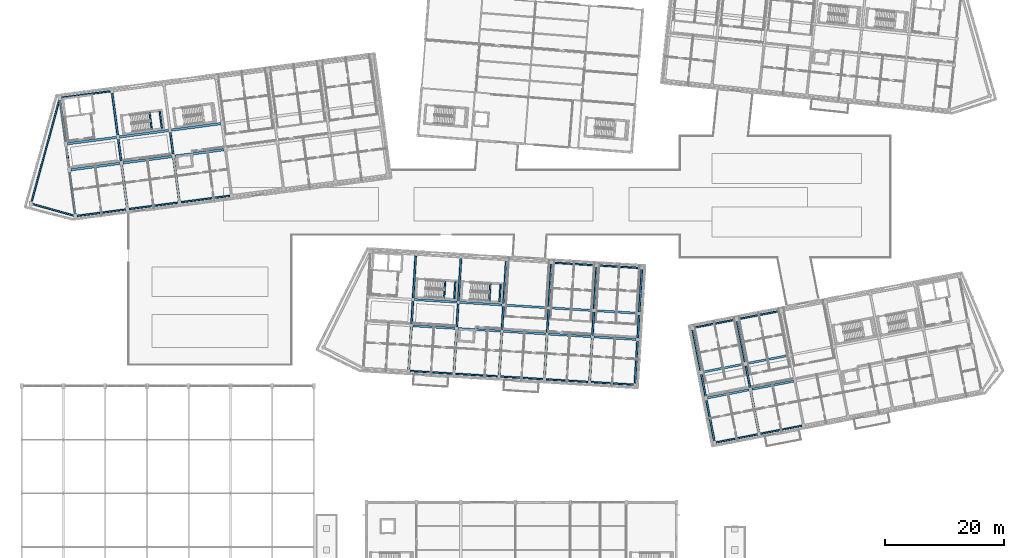
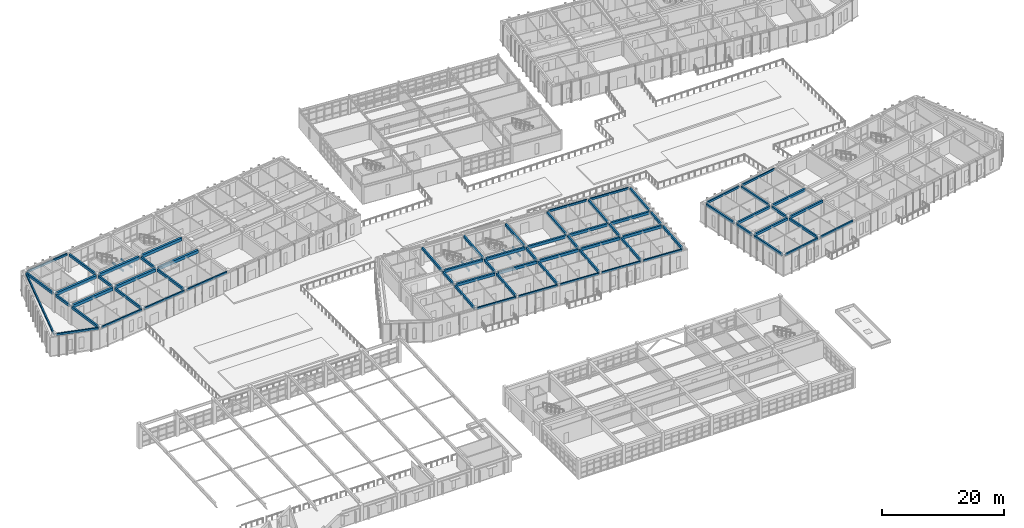
# One storey, part 37 of 150: 75 beams.
"""IFC4 building model written with IfcOpenShell, lengths in metres."""

from ifc_helpers import new_model, si_unit, direction, frame, origin, origin_2d, place, context, subcontext, project, spatial, rectangle, extrude, material, material_profile, profile_set, type_object, element, save


model = new_model("IFC4")

# Units and contexts
model_context = context("Model", 3, precision=1e-05, world=origin(), true_north=direction((0.0, 1.0)))
body_context = subcontext(model_context, "Body", "Model", "MODEL_VIEW")
ifc_project = project(units=[si_unit("LENGTHUNIT", "METRE"), si_unit("AREAUNIT", "SQUARE_METRE"), si_unit("VOLUMEUNIT", "CUBIC_METRE"), si_unit("PLANEANGLEUNIT", "RADIAN"), si_unit("MASSUNIT", "GRAM", prefix="KILO")], contexts=[model_context])

# Site, building, storey
site_placement = place(None, origin())
site = spatial("IfcSite", under=ifc_project, at=site_placement, CompositionType="ELEMENT")
building_placement = place(site_placement, origin())
building = spatial("IfcBuilding", under=site, at=building_placement, Name="Kestramere Prow Commons", CompositionType="ELEMENT")
storey_placement = place(building_placement, frame((0.0, 0.0, 4.5)))
storey = spatial("IfcBuildingStorey", under=building, at=storey_placement, Name="L01", CompositionType="ELEMENT", Elevation=4.5)

# Beams
ifc_material_1 = material(Name="Precast concrete C40/50", Category="concrete")
ifc_material_profile_1 = material_profile(ifc_material_1, rectangle(XDim=0.39990234375, YDim=0.60009765625, at=origin_2d()), Name="PC-BM 400x600")
ifc_profile_set_1 = profile_set([ifc_material_profile_1], Name="Precast concrete C40/50")
beam_type_1 = type_object("IfcBeamType", Name="BM-A1 PC-BM 400x600", PredefinedType="BEAM", material=ifc_profile_set_1)
for number, where, z_axis, x_axis, name in (
    (1, (10.45458984375, 79.76904296875, 3.35009765625), (0.991443917843, 0.130533358852, 0.0), (-0.130533358852, 0.991443917843, 0.0), "Block A L01 Longitudinal Beam 2-1"),
    (2, (19.17919921875, 80.917724609375, 3.35009765625), (0.991443917843, 0.130533358852, 0.0), (-0.130533358852, 0.991443917843, 0.0), "Block A L01 Longitudinal Beam 2-2"),
    (3, (27.904052734375, 82.06640625, 3.35009765625), (0.991443917843, 0.130533358852, 0.0), (-0.130533358852, 0.991443917843, 0.0), "Block A L01 Longitudinal Beam 2-3"),
    (4, (9.880126953125, 84.131591796875, 3.35009765625), (0.991447747213, 0.130504270221, 0.0), (-0.130504270221, 0.991447747213, 0.0), "Block A L01 Longitudinal Beam 3-1"),
    (5, (18.60498046875, 85.2802734375, 3.35009765625), (0.991447747213, 0.130504270221, 0.0), (-0.130504270221, 0.991447747213, 0.0), "Block A L01 Longitudinal Beam 3-2"),
    (6, (27.32958984375, 86.4287109375, 3.35009765625), (0.991443917843, 0.130533358852, 0.0), (-0.130533358852, 0.991443917843, 0.0), "Block A L01 Longitudinal Beam 3-3"),
):
    element("IfcBeam", number, at=place(storey_placement, frame(where, z_axis=z_axis, x_axis=x_axis)), inside=storey, type_object=beam_type_1, Name=name, PredefinedType="BEAM", context=body_context, shape_type="SweptSolid", body=[
        extrude(rectangle(XDim=0.39990234375, YDim=0.60009765625, at=origin_2d()), origin(), (0.0, 0.0, 1.0), 8.25),
    ])
ifc_material_profile_2 = material_profile(ifc_material_1, rectangle(XDim=0.35009765625, YDim=0.550048828125, at=origin_2d()), Name="PC-BM 350x550")
ifc_profile_set_2 = profile_set([ifc_material_profile_2], Name="Precast concrete C40/50")
beam_type_2 = type_object("IfcBeamType", Name="BM-C1 PC-BM 350x550", PredefinedType="BEAM", material=ifc_profile_set_2)
for number, where, z_axis, x_axis, name in (
    (7, (67.79931640625, 53.606689453125, 3.375), (0.998133472633, -0.061070212127, 0.0), (0.061070212127, 0.998133472633, 0.0), "Block C L01 Longitudinal Beam 2-2"),
    (8, (75.38525390625, 53.142578125, 3.375), (0.998135568114, -0.061035953884, 0.0), (0.061035953884, 0.998135568114, 0.0), "Block C L01 Longitudinal Beam 2-3"),
    (9, (82.970947265625, 52.6787109375, 3.375), (0.998133472633, -0.061070212127, 0.0), (0.061070212127, 0.998133472633, 0.0), "Block C L01 Longitudinal Beam 2-4"),
    (10, (90.556884765625, 52.214599609375, 3.375), (0.998135568114, -0.061035953884, 0.0), (0.061035953884, 0.998135568114, 0.0), "Block C L01 Longitudinal Beam 2-5"),
):
    element("IfcBeam", number, at=place(storey_placement, frame(where, z_axis=z_axis, x_axis=x_axis)), inside=storey, type_object=beam_type_2, Name=name, PredefinedType="BEAM", context=body_context, shape_type="SweptSolid", body=[
        extrude(rectangle(XDim=0.35009765625, YDim=0.550048828125, at=origin_2d()), origin(), (0.0, 0.0, 1.0), 7.099853515625),
    ])
for number, where, z_axis, x_axis, name in (
    (11, (98.142578125, 51.750732421875, 3.375), (0.99813569621, -0.061033859059, 0.0), (0.061033859059, 0.99813569621, 0.0), "Block C L01 Longitudinal Beam 2-6"),
    (12, (68.06787109375, 57.998291015625, 3.375), (0.99813569621, -0.061033859059, 0.0), (0.061033859059, 0.99813569621, 0.0), "Block C L01 Longitudinal Beam 3-2"),
):
    element("IfcBeam", number, at=place(storey_placement, frame(where, z_axis=z_axis, x_axis=x_axis)), inside=storey, type_object=beam_type_2, Name=name, PredefinedType="BEAM", context=body_context, shape_type="SweptSolid", body=[
        extrude(rectangle(XDim=0.35009765625, YDim=0.550048828125, at=origin_2d()), origin(), (0.0, 0.0, 1.0), 7.10009765625),
    ])
beam_1_placement = place(storey_placement, frame((75.65380859375, 57.534423828125, 3.375), z_axis=(0.998135568114, -0.061035953884, 0.0), x_axis=(0.061035953884, 0.998135568114, 0.0)))
element("IfcBeam", 13, at=beam_1_placement, inside=storey, type_object=beam_type_2, Name="Block C L01 Longitudinal Beam 3-3", PredefinedType="BEAM", context=body_context, shape_type="SweptSolid", body=[
    extrude(rectangle(XDim=0.35009765625, YDim=0.550048828125, at=origin_2d()), origin(), (0.0, 0.0, 1.0), 7.099853515625),
])
beam_2_placement = place(storey_placement, frame((83.239501953125, 57.070556640625, 3.375), z_axis=(0.998133600873, -0.061068116134, 0.0), x_axis=(0.061068116134, 0.998133600873, 0.0)))
element("IfcBeam", 14, at=beam_2_placement, inside=storey, type_object=beam_type_2, Name="Block C L01 Longitudinal Beam 3-4", PredefinedType="BEAM", context=body_context, shape_type="SweptSolid", body=[
    extrude(rectangle(XDim=0.35009765625, YDim=0.550048828125, at=origin_2d()), origin(), (0.0, 0.0, 1.0), 7.10009765625),
])
beam_3_placement = place(storey_placement, frame((90.825439453125, 56.6064453125, 3.375), z_axis=(0.998135568114, -0.061035953884, 0.0), x_axis=(0.061035953884, 0.998135568114, 0.0)))
element("IfcBeam", 15, at=beam_3_placement, inside=storey, type_object=beam_type_2, Name="Block C L01 Longitudinal Beam 3-5", PredefinedType="BEAM", context=body_context, shape_type="SweptSolid", body=[
    extrude(rectangle(XDim=0.35009765625, YDim=0.550048828125, at=origin_2d()), origin(), (0.0, 0.0, 1.0), 7.099853515625),
])
beam_4_placement = place(storey_placement, frame((98.4111328125, 56.142578125, 3.375), z_axis=(0.998133600873, -0.061068116134, 0.0), x_axis=(0.061068116134, 0.998133600873, 0.0)))
element("IfcBeam", 16, at=beam_4_placement, inside=storey, type_object=beam_type_2, Name="Block C L01 Longitudinal Beam 3-6", PredefinedType="BEAM", context=body_context, shape_type="SweptSolid", body=[
    extrude(rectangle(XDim=0.35009765625, YDim=0.550048828125, at=origin_2d()), origin(), (0.0, 0.0, 1.0), 7.10009765625),
])
ifc_material_profile_3 = material_profile(ifc_material_1, rectangle(XDim=0.35009765625, YDim=0.5, at=origin_2d()), Name="PC-BM 350x500")
ifc_profile_set_3 = profile_set([ifc_material_profile_3], Name="Precast concrete C40/50")
beam_type_3 = type_object("IfcBeamType", Name="BM-D1 PC-BM 350x500", PredefinedType="BEAM", material=ifc_profile_set_3)
beam_5_placement = place(storey_placement, frame((117.1953125, 41.508056640625, 3.39990234375), z_axis=(0.981627020401, 0.190809834175, 0.0), x_axis=(-0.190809834175, 0.981627020401, 0.0)))
element("IfcBeam", 17, at=beam_5_placement, inside=storey, type_object=beam_type_3, Name="Block D L01 Longitudinal Beam 2-1", PredefinedType="BEAM", context=body_context, shape_type="SweptSolid", body=[
    extrude(rectangle(XDim=0.35009765625, YDim=0.5, at=origin_2d()), origin(), (0.0, 0.0, 1.0), 7.099853515625),
])
beam_6_placement = place(storey_placement, frame((124.655517578125, 42.958251953125, 3.39990234375), z_axis=(0.98162827229, 0.190803393686, 0.0), x_axis=(-0.190803393686, 0.98162827229, 0.0)))
element("IfcBeam", 18, at=beam_6_placement, inside=storey, type_object=beam_type_3, Name="Block D L01 Longitudinal Beam 2-2", PredefinedType="BEAM", context=body_context, shape_type="SweptSolid", body=[
    extrude(rectangle(XDim=0.35009765625, YDim=0.5, at=origin_2d()), origin(), (0.0, 0.0, 1.0), 7.10009765625),
])
for number, where, z_axis, x_axis, name in (
    (19, (116.355712890625, 45.8271484375, 3.39990234375), (0.981627020401, 0.190809834175, 0.0), (-0.190809834175, 0.981627020401, 0.0), "Block D L01 Longitudinal Beam 3-1"),
    (20, (123.816162109375, 47.27734375, 3.39990234375), (0.981627020401, 0.190809834175, 0.0), (-0.190809834175, 0.981627020401, 0.0), "Block D L01 Longitudinal Beam 3-2"),
):
    element("IfcBeam", number, at=place(storey_placement, frame(where, z_axis=z_axis, x_axis=x_axis)), inside=storey, type_object=beam_type_3, Name=name, PredefinedType="BEAM", context=body_context, shape_type="SweptSolid", body=[
        extrude(rectangle(XDim=0.35009765625, YDim=0.5, at=origin_2d()), origin(), (0.0, 0.0, 1.0), 7.099853515625),
    ])
ifc_material_2 = material(Name="Concrete C40/50", Category="concrete")
ifc_material_profile_4 = material_profile(ifc_material_2, rectangle(XDim=0.25, YDim=0.35009765625, at=origin_2d()), Name="PC-BM 250x350")
ifc_profile_set_4 = profile_set([ifc_material_profile_4], Name="Concrete C40/50")
beam_type_4 = type_object("IfcBeamType", Name="BM-ST-TRIM", PredefinedType="BEAM", material=ifc_profile_set_4)
for number, where, z_axis, x_axis, name in (
    (21, (23.99365234375, 86.524169921875, 1.574951171875), (-0.130520071219, 0.9914456672, 0.0), (-0.9914456672, -0.130520071219, 0.0), "ST-A1 L01 Landing Trimmer Beam 1A"),
    (22, (25.698974609375, 86.748779296875, 1.574951171875), (-0.130520071219, 0.9914456672, 0.0), (-0.9914456672, -0.130520071219, 0.0), "ST-A1 L01 Landing Trimmer Beam 1B"),
):
    element("IfcBeam", number, at=place(storey_placement, frame(where, z_axis=z_axis, x_axis=x_axis)), inside=storey, type_object=beam_type_4, Name=name, PredefinedType="BEAM", context=body_context, shape_type="SweptSolid", body=[
        extrude(rectangle(XDim=0.25, YDim=0.35009765625, at=origin_2d()), origin(), (0.0, 0.0, 1.0), 2.889892578125),
    ])
for number, where, z_axis, x_axis, name in (
    (23, (73.02099609375, 58.226318359375, 1.574951171875), (0.061073995712, 0.99813324113, 0.0), (-0.99813324113, 0.061073995712, 0.0), "ST-C1 L01 Landing Trimmer Beam 1A"),
    (24, (74.73779296875, 58.121337890625, 1.574951171875), (0.061073995712, 0.99813324113, 0.0), (-0.99813324113, 0.061073995712, 0.0), "ST-C1 L01 Landing Trimmer Beam 1B"),
):
    element("IfcBeam", number, at=place(storey_placement, frame(where, z_axis=z_axis, x_axis=x_axis)), inside=storey, type_object=beam_type_4, Name=name, PredefinedType="BEAM", context=body_context, shape_type="SweptSolid", body=[
        extrude(rectangle(XDim=0.25, YDim=0.35009765625, at=origin_2d()), origin(), (0.0, 0.0, 1.0), 2.89013671875),
    ])
for number, where, z_axis, x_axis, name in (
    (25, (80.60693359375, 57.762451171875, 1.574951171875), (0.06107914562, 0.998132926003, 0.0), (-0.998132926003, 0.06107914562, 0.0), "ST-C2 L01 Landing Trimmer Beam 1A"),
    (26, (82.32373046875, 57.657470703125, 1.574951171875), (0.06107914562, 0.998132926003, 0.0), (-0.998132926003, 0.06107914562, 0.0), "ST-C2 L01 Landing Trimmer Beam 1B"),
):
    element("IfcBeam", number, at=place(storey_placement, frame(where, z_axis=z_axis, x_axis=x_axis)), inside=storey, type_object=beam_type_4, Name=name, PredefinedType="BEAM", context=body_context, shape_type="SweptSolid", body=[
        extrude(rectangle(XDim=0.25, YDim=0.35009765625, at=origin_2d()), origin(), (0.0, 0.0, 1.0), 2.889892578125),
    ])
ifc_material_profile_5 = material_profile(ifc_material_1, rectangle(XDim=0.300048828125, YDim=0.5, at=origin_2d()), Name="PC-BM 300x500")
ifc_profile_set_5 = profile_set([ifc_material_profile_5], Name="Precast concrete C40/50")
beam_type_5 = type_object("IfcBeamType", Name="BM-TIE-01 PC-BM 300x500", PredefinedType="BEAM", material=ifc_profile_set_5)
beam_7_placement = place(storey_placement, frame((11.151123046875, 72.371826171875, 3.39990234375), z_axis=(-0.130519009654, 0.99144580695, 0.0), x_axis=(-0.99144580695, -0.130519009654, 0.0)))
element("IfcBeam", 27, at=beam_7_placement, inside=storey, type_object=beam_type_5, Name="Block A L01 Transverse Beam 1-1", PredefinedType="BEAM", context=body_context, shape_type="SweptSolid", body=[
    extrude(rectangle(XDim=0.300048828125, YDim=0.5, at=origin_2d()), origin(), (0.0, 0.0, 1.0), 7.050048828125),
])
beam_8_placement = place(storey_placement, frame((10.133056640625, 80.10498046875, 3.39990234375), z_axis=(-0.13056005306, 0.991440402921, 0.0), x_axis=(-0.991440402921, -0.13056005306, 0.0)))
element("IfcBeam", 28, at=beam_8_placement, inside=storey, type_object=beam_type_5, Name="Block A L01 Transverse Beam 1-2", PredefinedType="BEAM", context=body_context, shape_type="SweptSolid", body=[
    extrude(rectangle(XDim=0.300048828125, YDim=0.5, at=origin_2d()), origin(), (0.0, 0.0, 1.0), 3.650146484375),
])
for number, where, z_axis, x_axis, name in (
    (29, (9.55859375, 84.467529296875, 3.39990234375), (-0.130523490966, 0.991445216997, 0.0), (-0.991445216997, -0.130523490966, 0.0), "Block A L01 Transverse Beam 1-3"),
    (30, (19.875732421875, 73.5205078125, 3.39990234375), (-0.130523490966, 0.991445216997, 0.0), (-0.991445216997, -0.130523490966, 0.0), "Block A L01 Transverse Beam 2-1"),
):
    element("IfcBeam", number, at=place(storey_placement, frame(where, z_axis=z_axis, x_axis=x_axis)), inside=storey, type_object=beam_type_5, Name=name, PredefinedType="BEAM", context=body_context, shape_type="SweptSolid", body=[
        extrude(rectangle(XDim=0.300048828125, YDim=0.5, at=origin_2d()), origin(), (0.0, 0.0, 1.0), 7.0498046875),
    ])
beam_9_placement = place(storey_placement, frame((18.857666015625, 81.253662109375, 3.39990234375), z_axis=(-0.130494307047, 0.991449058615, 0.0), x_axis=(-0.991449058615, -0.130494307047, 0.0)))
element("IfcBeam", 31, at=beam_9_placement, inside=storey, type_object=beam_type_5, Name="Block A L01 Transverse Beam 2-2", PredefinedType="BEAM", context=body_context, shape_type="SweptSolid", body=[
    extrude(rectangle(XDim=0.300048828125, YDim=0.5, at=origin_2d()), origin(), (0.0, 0.0, 1.0), 3.650146484375),
])
for number, where, z_axis, x_axis, name in (
    (32, (18.283447265625, 85.615966796875, 3.39990234375), (-0.130553049113, 0.991441325227, 0.0), (-0.991441325227, -0.130553049113, 0.0), "Block A L01 Transverse Beam 2-3"),
    (33, (28.6005859375, 74.6689453125, 3.39990234375), (-0.130553049113, 0.991441325227, 0.0), (-0.991441325227, -0.130553049113, 0.0), "Block A L01 Transverse Beam 3-1"),
):
    element("IfcBeam", number, at=place(storey_placement, frame(where, z_axis=z_axis, x_axis=x_axis)), inside=storey, type_object=beam_type_5, Name=name, PredefinedType="BEAM", context=body_context, shape_type="SweptSolid", body=[
        extrude(rectangle(XDim=0.300048828125, YDim=0.5, at=origin_2d()), origin(), (0.0, 0.0, 1.0), 7.050048828125),
    ])
beam_10_placement = place(storey_placement, frame((27.582275390625, 82.40234375, 3.39990234375), z_axis=(-0.130502961205, 0.991447919518, 0.0), x_axis=(-0.991447919518, -0.130502961205, 0.0)))
element("IfcBeam", 34, at=beam_10_placement, inside=storey, type_object=beam_type_5, Name="Block A L01 Transverse Beam 3-2", PredefinedType="BEAM", context=body_context, shape_type="SweptSolid", body=[
    extrude(rectangle(XDim=0.300048828125, YDim=0.5, at=origin_2d()), origin(), (0.0, 0.0, 1.0), 3.64990234375),
])
beam_11_placement = place(storey_placement, frame((67.10107421875, 46.28564453125, 3.39990234375), z_axis=(0.061035953884, 0.998135568114, 0.0), x_axis=(-0.998135568114, 0.061035953884, 0.0)))
element("IfcBeam", 35, at=beam_11_placement, inside=storey, type_object=beam_type_5, Name="Block C L01 Transverse Beam 2-1", PredefinedType="BEAM", context=body_context, shape_type="SweptSolid", body=[
    extrude(rectangle(XDim=0.300048828125, YDim=0.5, at=origin_2d()), origin(), (0.0, 0.0, 1.0), 7.099853515625),
])
beam_12_placement = place(storey_placement, frame((67.56494140625, 53.871337890625, 3.39990234375), z_axis=(0.061096063045, 0.998131890624, 0.0), x_axis=(-0.998131890624, 0.061096063045, 0.0)))
element("IfcBeam", 36, at=beam_12_placement, inside=storey, type_object=beam_type_5, Name="Block C L01 Transverse Beam 2-2", PredefinedType="BEAM", context=body_context, shape_type="SweptSolid", body=[
    extrude(rectangle(XDim=0.300048828125, YDim=0.5, at=origin_2d()), origin(), (0.0, 0.0, 1.0), 3.900146484375),
])
beam_13_placement = place(storey_placement, frame((67.833740234375, 58.26318359375, 3.39990234375), z_axis=(0.061035953884, 0.998135568114, 0.0), x_axis=(-0.998135568114, 0.061035953884, 0.0)))
element("IfcBeam", 37, at=beam_13_placement, inside=storey, type_object=beam_type_5, Name="Block C L01 Transverse Beam 2-3", PredefinedType="BEAM", context=body_context, shape_type="SweptSolid", body=[
    extrude(rectangle(XDim=0.300048828125, YDim=0.5, at=origin_2d()), origin(), (0.0, 0.0, 1.0), 7.099853515625),
])
beam_14_placement = place(storey_placement, frame((74.68701171875, 45.821533203125, 3.39990234375), z_axis=(0.061033859059, 0.99813569621, 0.0), x_axis=(-0.99813569621, 0.061033859059, 0.0)))
element("IfcBeam", 38, at=beam_14_placement, inside=storey, type_object=beam_type_5, Name="Block C L01 Transverse Beam 3-1", PredefinedType="BEAM", context=body_context, shape_type="SweptSolid", body=[
    extrude(rectangle(XDim=0.300048828125, YDim=0.5, at=origin_2d()), origin(), (0.0, 0.0, 1.0), 7.10009765625),
])
beam_15_placement = place(storey_placement, frame((75.15087890625, 53.407470703125, 3.39990234375), z_axis=(0.061037511668, 0.998135472854, 0.0), x_axis=(-0.998135472854, 0.061037511668, 0.0)))
element("IfcBeam", 39, at=beam_15_placement, inside=storey, type_object=beam_type_5, Name="Block C L01 Transverse Beam 3-2", PredefinedType="BEAM", context=body_context, shape_type="SweptSolid", body=[
    extrude(rectangle(XDim=0.300048828125, YDim=0.5, at=origin_2d()), origin(), (0.0, 0.0, 1.0), 3.89990234375),
])
for number, where, z_axis, x_axis, name in (
    (40, (75.41943359375, 57.79931640625, 3.39990234375), (0.061070212127, 0.998133472633, 0.0), (-0.998133472633, 0.061070212127, 0.0), "Block C L01 Transverse Beam 3-3"),
    (41, (82.272705078125, 45.357666015625, 3.39990234375), (0.061070212127, 0.998133472633, 0.0), (-0.998133472633, 0.061070212127, 0.0), "Block C L01 Transverse Beam 4-1"),
):
    element("IfcBeam", number, at=place(storey_placement, frame(where, z_axis=z_axis, x_axis=x_axis)), inside=storey, type_object=beam_type_5, Name=name, PredefinedType="BEAM", context=body_context, shape_type="SweptSolid", body=[
        extrude(rectangle(XDim=0.300048828125, YDim=0.5, at=origin_2d()), origin(), (0.0, 0.0, 1.0), 7.099853515625),
    ])
beam_16_placement = place(storey_placement, frame((82.73681640625, 52.943359375, 3.39990234375), z_axis=(0.061033697925, 0.998135706063, 0.0), x_axis=(-0.998135706063, 0.061033697925, 0.0)))
element("IfcBeam", 42, at=beam_16_placement, inside=storey, type_object=beam_type_5, Name="Block C L01 Transverse Beam 4-2", PredefinedType="BEAM", context=body_context, shape_type="SweptSolid", body=[
    extrude(rectangle(XDim=0.300048828125, YDim=0.5, at=origin_2d()), origin(), (0.0, 0.0, 1.0), 3.900146484375),
])
for number, where, z_axis, x_axis, name in (
    (43, (83.00537109375, 57.335205078125, 3.39990234375), (0.061033859059, 0.99813569621, 0.0), (-0.99813569621, 0.061033859059, 0.0), "Block C L01 Transverse Beam 4-3"),
    (44, (89.858642578125, 44.8935546875, 3.39990234375), (0.061033859059, 0.99813569621, 0.0), (-0.99813569621, 0.061033859059, 0.0), "Block C L01 Transverse Beam 5-1"),
):
    element("IfcBeam", number, at=place(storey_placement, frame(where, z_axis=z_axis, x_axis=x_axis)), inside=storey, type_object=beam_type_5, Name=name, PredefinedType="BEAM", context=body_context, shape_type="SweptSolid", body=[
        extrude(rectangle(XDim=0.300048828125, YDim=0.5, at=origin_2d()), origin(), (0.0, 0.0, 1.0), 7.10009765625),
    ])
beam_17_placement = place(storey_placement, frame((90.322509765625, 52.4794921875, 3.39990234375), z_axis=(0.061033697925, 0.998135706063, 0.0), x_axis=(-0.998135706063, 0.061033697925, 0.0)))
element("IfcBeam", 45, at=beam_17_placement, inside=storey, type_object=beam_type_5, Name="Block C L01 Transverse Beam 5-2", PredefinedType="BEAM", context=body_context, shape_type="SweptSolid", body=[
    extrude(rectangle(XDim=0.300048828125, YDim=0.5, at=origin_2d()), origin(), (0.0, 0.0, 1.0), 3.900146484375),
])
for number, where, z_axis, x_axis, name in (
    (46, (90.591064453125, 56.871337890625, 3.39990234375), (0.061070212127, 0.998133472633, 0.0), (-0.998133472633, 0.061070212127, 0.0), "Block C L01 Transverse Beam 5-3"),
    (47, (97.4443359375, 44.4296875, 3.39990234375), (0.061070212127, 0.998133472633, 0.0), (-0.998133472633, 0.061070212127, 0.0), "Block C L01 Transverse Beam 6-1"),
):
    element("IfcBeam", number, at=place(storey_placement, frame(where, z_axis=z_axis, x_axis=x_axis)), inside=storey, type_object=beam_type_5, Name=name, PredefinedType="BEAM", context=body_context, shape_type="SweptSolid", body=[
        extrude(rectangle(XDim=0.300048828125, YDim=0.5, at=origin_2d()), origin(), (0.0, 0.0, 1.0), 7.099853515625),
    ])
beam_18_placement = place(storey_placement, frame((97.908447265625, 52.015625, 3.39990234375), z_axis=(0.061037511668, 0.998135472854, 0.0), x_axis=(-0.998135472854, 0.061037511668, 0.0)))
element("IfcBeam", 48, at=beam_18_placement, inside=storey, type_object=beam_type_5, Name="Block C L01 Transverse Beam 6-2", PredefinedType="BEAM", context=body_context, shape_type="SweptSolid", body=[
    extrude(rectangle(XDim=0.300048828125, YDim=0.5, at=origin_2d()), origin(), (0.0, 0.0, 1.0), 3.89990234375),
])
beam_19_placement = place(storey_placement, frame((98.177001953125, 56.4072265625, 3.39990234375), z_axis=(0.061033859059, 0.99813569621, 0.0), x_axis=(-0.99813569621, 0.061033859059, 0.0)))
element("IfcBeam", 49, at=beam_19_placement, inside=storey, type_object=beam_type_5, Name="Block C L01 Transverse Beam 6-3", PredefinedType="BEAM", context=body_context, shape_type="SweptSolid", body=[
    extrude(rectangle(XDim=0.300048828125, YDim=0.5, at=origin_2d()), origin(), (0.0, 0.0, 1.0), 7.10009765625),
])
beam_20_placement = place(storey_placement, frame((105.0302734375, 43.9658203125, 3.39990234375), z_axis=(0.061035953884, 0.998135568114, 0.0), x_axis=(-0.998135568114, 0.061035953884, 0.0)))
element("IfcBeam", 50, at=beam_20_placement, inside=storey, type_object=beam_type_5, Name="Block C L01 Transverse Beam 7-1", PredefinedType="BEAM", context=body_context, shape_type="SweptSolid", body=[
    extrude(rectangle(XDim=0.300048828125, YDim=0.5, at=origin_2d()), origin(), (0.0, 0.0, 1.0), 7.099853515625),
])
beam_21_placement = place(storey_placement, frame((105.494140625, 51.551513671875, 3.39990234375), z_axis=(0.061033697925, 0.998135706063, 0.0), x_axis=(-0.998135706063, 0.061033697925, 0.0)))
element("IfcBeam", 51, at=beam_21_placement, inside=storey, type_object=beam_type_5, Name="Block C L01 Transverse Beam 7-2", PredefinedType="BEAM", context=body_context, shape_type="SweptSolid", body=[
    extrude(rectangle(XDim=0.300048828125, YDim=0.5, at=origin_2d()), origin(), (0.0, 0.0, 1.0), 3.900146484375),
])
beam_22_placement = place(storey_placement, frame((105.7626953125, 55.943359375, 3.39990234375), z_axis=(0.061070212127, 0.998133472633, 0.0), x_axis=(-0.998133472633, 0.061070212127, 0.0)))
element("IfcBeam", 52, at=beam_22_placement, inside=storey, type_object=beam_type_5, Name="Block C L01 Transverse Beam 7-3", PredefinedType="BEAM", context=body_context, shape_type="SweptSolid", body=[
    extrude(rectangle(XDim=0.300048828125, YDim=0.5, at=origin_2d()), origin(), (0.0, 0.0, 1.0), 7.099853515625),
])
beam_23_placement = place(storey_placement, frame((118.333251953125, 34.343505859375, 3.39990234375), z_axis=(-0.190819465253, 0.981625148252, 0.0), x_axis=(-0.981625148252, -0.190819465253, 0.0)))
element("IfcBeam", 53, at=beam_23_placement, inside=storey, type_object=beam_type_5, Name="Block D L01 Transverse Beam 1-1", PredefinedType="BEAM", context=body_context, shape_type="SweptSolid", body=[
    extrude(rectangle(XDim=0.300048828125, YDim=0.5, at=origin_2d()), origin(), (0.0, 0.0, 1.0), 6.89990234375),
])
beam_24_placement = place(storey_placement, frame((116.883056640625, 41.803955078125, 3.39990234375), z_axis=(-0.190821974723, 0.981624660429, 0.0), x_axis=(-0.981624660429, -0.190821974723, 0.0)))
element("IfcBeam", 54, at=beam_24_placement, inside=storey, type_object=beam_type_5, Name="Block D L01 Transverse Beam 1-2", PredefinedType="BEAM", context=body_context, shape_type="SweptSolid", body=[
    extrude(rectangle(XDim=0.300048828125, YDim=0.5, at=origin_2d()), origin(), (0.0, 0.0, 1.0), 3.699951171875),
])
for number, where, z_axis, x_axis, name in (
    (55, (116.04345703125, 46.123046875, 3.39990234375), (-0.190819465253, 0.981625148252, 0.0), (-0.981625148252, -0.190819465253, 0.0), "Block D L01 Transverse Beam 1-3"),
    (56, (125.793701171875, 35.793701171875, 3.39990234375), (-0.190819465253, 0.981625148252, 0.0), (-0.981625148252, -0.190819465253, 0.0), "Block D L01 Transverse Beam 2-1"),
):
    element("IfcBeam", number, at=place(storey_placement, frame(where, z_axis=z_axis, x_axis=x_axis)), inside=storey, type_object=beam_type_5, Name=name, PredefinedType="BEAM", context=body_context, shape_type="SweptSolid", body=[
        extrude(rectangle(XDim=0.300048828125, YDim=0.5, at=origin_2d()), origin(), (0.0, 0.0, 1.0), 6.89990234375),
    ])
beam_25_placement = place(storey_placement, frame((124.343505859375, 43.254150390625, 3.39990234375), z_axis=(-0.190834335095, 0.981622257566, 0.0), x_axis=(-0.981622257566, -0.190834335095, 0.0)))
element("IfcBeam", 57, at=beam_25_placement, inside=storey, type_object=beam_type_5, Name="Block D L01 Transverse Beam 2-2", PredefinedType="BEAM", context=body_context, shape_type="SweptSolid", body=[
    extrude(rectangle(XDim=0.300048828125, YDim=0.5, at=origin_2d()), origin(), (0.0, 0.0, 1.0), 3.699951171875),
])
beam_26_placement = place(storey_placement, frame((123.50390625, 47.5732421875, 3.39990234375), z_axis=(-0.190819465253, 0.981625148252, 0.0), x_axis=(-0.981625148252, -0.190819465253, 0.0)))
element("IfcBeam", 58, at=beam_26_placement, inside=storey, type_object=beam_type_5, Name="Block D L01 Transverse Beam 2-3", PredefinedType="BEAM", context=body_context, shape_type="SweptSolid", body=[
    extrude(rectangle(XDim=0.300048828125, YDim=0.5, at=origin_2d()), origin(), (0.0, 0.0, 1.0), 6.89990234375),
])
ifc_material_profile_6 = material_profile(ifc_material_1, rectangle(XDim=0.25, YDim=0.39990234375, at=origin_2d()), Name="PC-SP 250x400")
ifc_profile_set_6 = profile_set([ifc_material_profile_6], Name="Precast concrete C40/50")
beam_type_6 = type_object("IfcBeamType", Name="SP-EXT-01 PC-SP 250x400", PredefinedType="SPANDREL", material=ifc_profile_set_6)
beam_27_placement = place(storey_placement, frame((10.930419921875, 72.075927734375, 3.449951171875), z_axis=(-0.96246176941, 0.271417284681, 0.0), x_axis=(-0.271417284681, -0.96246176941, 0.0)))
element("IfcBeam", 59, at=beam_27_placement, inside=storey, type_object=beam_type_6, Name="Block A L01 Prow Facet Beam S", PredefinedType="SPANDREL", context=body_context, shape_type="SweptSolid", body=[
    extrude(rectangle(XDim=0.25, YDim=0.39990234375, at=origin_2d()), origin(), (0.0, 0.0, 1.0), 7.167236328125),
])
beam_28_placement = place(storey_placement, frame((8.515869140625, 91.558837890625, 3.449951171875), z_axis=(-0.262653591278, -0.964890196338, 0.0), x_axis=(0.964890196338, -0.262653591278, 0.0)))
element("IfcBeam", 60, at=beam_28_placement, inside=storey, type_object=beam_type_6, Name="Block A L01 Prow Facet Beam N", PredefinedType="SPANDREL", context=body_context, shape_type="SweptSolid", body=[
    extrude(rectangle(XDim=0.25, YDim=0.39990234375, at=origin_2d()), origin(), (0.0, 0.0, 1.0), 17.81689453125),
])
for number, where, z_axis, x_axis, name in (
    (61, (11.47265625, 72.035888671875, 3.449951171875), (0.991443917843, 0.130533358852, 0.0), (-0.130533358852, 0.991443917843, 0.0), "Block A L01 Longitudinal Beam 1-1"),
    (62, (20.197265625, 73.1845703125, 3.449951171875), (0.991443917843, 0.130533358852, 0.0), (-0.130533358852, 0.991443917843, 0.0), "Block A L01 Longitudinal Beam 1-2"),
    (63, (28.922119140625, 74.333251953125, 3.449951171875), (0.991447747213, 0.130504270221, 0.0), (-0.130504270221, 0.991447747213, 0.0), "Block A L01 Longitudinal Beam 1-3"),
    (64, (8.862060546875, 91.86474609375, 3.449951171875), (0.991443917843, 0.130533358852, 0.0), (-0.130533358852, 0.991443917843, 0.0), "Block A L01 Longitudinal Beam 4-1"),
):
    element("IfcBeam", number, at=place(storey_placement, frame(where, z_axis=z_axis, x_axis=x_axis)), inside=storey, type_object=beam_type_6, Name=name, PredefinedType="SPANDREL", context=body_context, shape_type="SweptSolid", body=[
        extrude(rectangle(XDim=0.25, YDim=0.39990234375, at=origin_2d()), origin(), (0.0, 0.0, 1.0), 8.25),
    ])
beam_29_placement = place(storey_placement, frame((67.33544921875, 46.020751953125, 3.449951171875), z_axis=(0.998135568114, -0.061035953884, 0.0), x_axis=(0.061035953884, 0.998135568114, 0.0)))
element("IfcBeam", 65, at=beam_29_placement, inside=storey, type_object=beam_type_6, Name="Block C L01 Longitudinal Beam 1-2", PredefinedType="SPANDREL", context=body_context, shape_type="SweptSolid", body=[
    extrude(rectangle(XDim=0.25, YDim=0.39990234375, at=origin_2d()), origin(), (0.0, 0.0, 1.0), 7.099853515625),
])
beam_30_placement = place(storey_placement, frame((74.921142578125, 45.556884765625, 3.449951171875), z_axis=(0.998133600873, -0.061068116134, 0.0), x_axis=(0.061068116134, 0.998133600873, 0.0)))
element("IfcBeam", 66, at=beam_30_placement, inside=storey, type_object=beam_type_6, Name="Block C L01 Longitudinal Beam 1-3", PredefinedType="SPANDREL", context=body_context, shape_type="SweptSolid", body=[
    extrude(rectangle(XDim=0.25, YDim=0.39990234375, at=origin_2d()), origin(), (0.0, 0.0, 1.0), 7.10009765625),
])
beam_31_placement = place(storey_placement, frame((82.507080078125, 45.0927734375, 3.449951171875), z_axis=(0.998135568114, -0.061035953884, 0.0), x_axis=(0.061035953884, 0.998135568114, 0.0)))
element("IfcBeam", 67, at=beam_31_placement, inside=storey, type_object=beam_type_6, Name="Block C L01 Longitudinal Beam 1-4", PredefinedType="SPANDREL", context=body_context, shape_type="SweptSolid", body=[
    extrude(rectangle(XDim=0.25, YDim=0.39990234375, at=origin_2d()), origin(), (0.0, 0.0, 1.0), 7.099853515625),
])
beam_32_placement = place(storey_placement, frame((90.0927734375, 44.62890625, 3.449951171875), z_axis=(0.998133600873, -0.061068116134, 0.0), x_axis=(0.061068116134, 0.998133600873, 0.0)))
element("IfcBeam", 68, at=beam_32_placement, inside=storey, type_object=beam_type_6, Name="Block C L01 Longitudinal Beam 1-5", PredefinedType="SPANDREL", context=body_context, shape_type="SweptSolid", body=[
    extrude(rectangle(XDim=0.25, YDim=0.39990234375, at=origin_2d()), origin(), (0.0, 0.0, 1.0), 7.10009765625),
])
beam_33_placement = place(storey_placement, frame((97.6787109375, 44.164794921875, 3.449951171875), z_axis=(0.998135568114, -0.061035953884, 0.0), x_axis=(0.061035953884, 0.998135568114, 0.0)))
element("IfcBeam", 69, at=beam_33_placement, inside=storey, type_object=beam_type_6, Name="Block C L01 Longitudinal Beam 1-6", PredefinedType="SPANDREL", context=body_context, shape_type="SweptSolid", body=[
    extrude(rectangle(XDim=0.25, YDim=0.39990234375, at=origin_2d()), origin(), (0.0, 0.0, 1.0), 7.099853515625),
])
beam_34_placement = place(storey_placement, frame((91.289306640625, 64.1923828125, 3.449951171875), z_axis=(0.998133600873, -0.061068116134, 0.0), x_axis=(0.061068116134, 0.998133600873, 0.0)))
element("IfcBeam", 70, at=beam_34_placement, inside=storey, type_object=beam_type_6, Name="Block C L01 Longitudinal Beam 4-5", PredefinedType="SPANDREL", context=body_context, shape_type="SweptSolid", body=[
    extrude(rectangle(XDim=0.25, YDim=0.39990234375, at=origin_2d()), origin(), (0.0, 0.0, 1.0), 7.10009765625),
])
for number, where, z_axis, x_axis, name in (
    (71, (98.875244140625, 63.728271484375, 3.449951171875), (0.998135568114, -0.061035953884, 0.0), (0.061035953884, 0.998135568114, 0.0), "Block C L01 Longitudinal Beam 4-6"),
    (72, (118.6455078125, 34.047607421875, 3.449951171875), (0.981627020401, 0.190809834175, 0.0), (-0.190809834175, 0.981627020401, 0.0), "Block D L01 Longitudinal Beam 1-1"),
):
    element("IfcBeam", number, at=place(storey_placement, frame(where, z_axis=z_axis, x_axis=x_axis)), inside=storey, type_object=beam_type_6, Name=name, PredefinedType="SPANDREL", context=body_context, shape_type="SweptSolid", body=[
        extrude(rectangle(XDim=0.25, YDim=0.39990234375, at=origin_2d()), origin(), (0.0, 0.0, 1.0), 7.099853515625),
    ])
beam_35_placement = place(storey_placement, frame((126.105712890625, 35.497802734375, 3.449951171875), z_axis=(0.98162827229, 0.190803393686, 0.0), x_axis=(-0.190803393686, 0.98162827229, 0.0)))
element("IfcBeam", 73, at=beam_35_placement, inside=storey, type_object=beam_type_6, Name="Block D L01 Longitudinal Beam 1-2", PredefinedType="SPANDREL", context=body_context, shape_type="SweptSolid", body=[
    extrude(rectangle(XDim=0.25, YDim=0.39990234375, at=origin_2d()), origin(), (0.0, 0.0, 1.0), 7.10009765625),
])
for number, where, z_axis, x_axis, name in (
    (74, (114.905517578125, 53.28759765625, 3.449951171875), (0.981627020401, 0.190809834175, 0.0), (-0.190809834175, 0.981627020401, 0.0), "Block D L01 Longitudinal Beam 4-1"),
    (75, (122.365966796875, 54.73779296875, 3.449951171875), (0.981627020401, 0.190809834175, 0.0), (-0.190809834175, 0.981627020401, 0.0), "Block D L01 Longitudinal Beam 4-2"),
):
    element("IfcBeam", number, at=place(storey_placement, frame(where, z_axis=z_axis, x_axis=x_axis)), inside=storey, type_object=beam_type_6, Name=name, PredefinedType="SPANDREL", context=body_context, shape_type="SweptSolid", body=[
        extrude(rectangle(XDim=0.25, YDim=0.39990234375, at=origin_2d()), origin(), (0.0, 0.0, 1.0), 7.099853515625),
    ])

save(model, "model.ifc")
